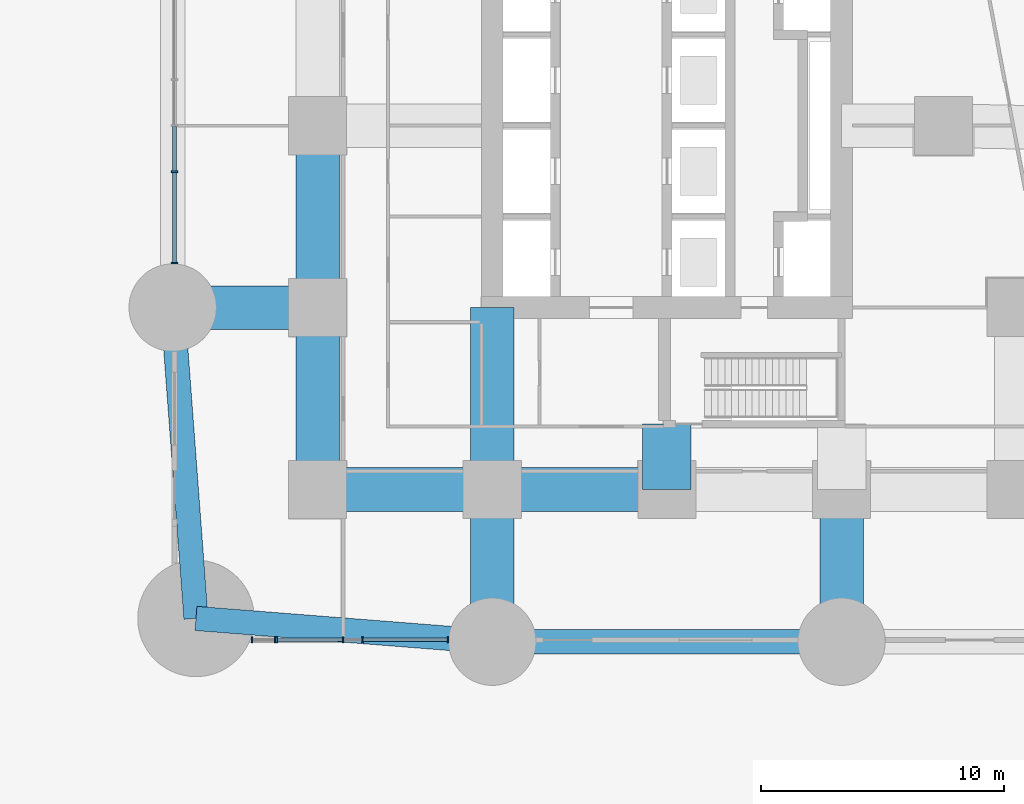
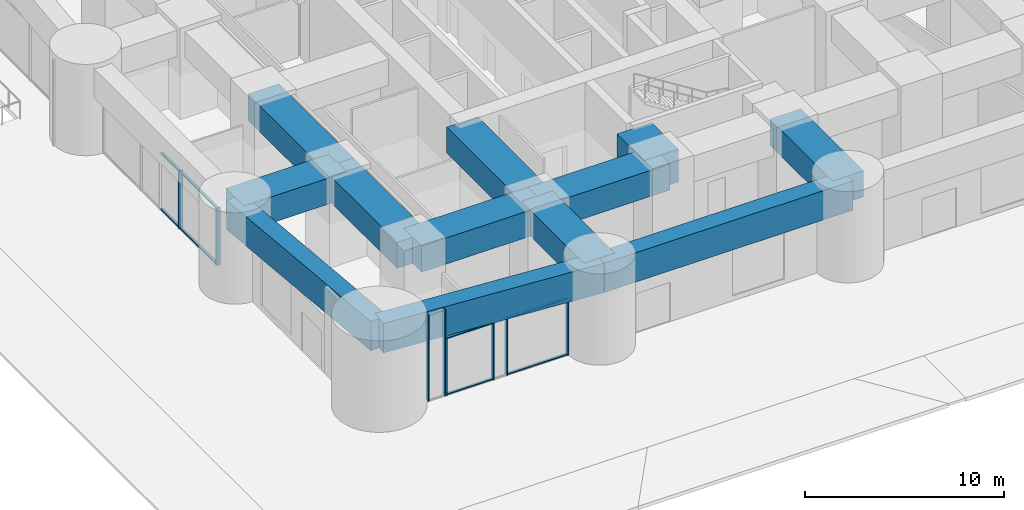
# One storey, part 2 of 16: 16 members, 12 beams, 3 elements without a shape of their own.
"""IFC4 building model written with IfcOpenShell, lengths in metres."""

from ifc_helpers import new_model, si_unit, direction, frame, origin, origin_2d, place, context, subcontext, project, spatial, rectangle, extrude, material, material_profile, profile_set, type_object, element, aggregate, save


model = new_model("IFC4")

# Units and contexts
model_context = context("Model", 3, precision=1e-05, world=origin(), true_north=direction((0.0, 1.0)))
body_context = subcontext(model_context, "Body", "Model", "MODEL_VIEW")
ifc_project = project(units=[si_unit("LENGTHUNIT", "METRE"), si_unit("AREAUNIT", "SQUARE_METRE"), si_unit("VOLUMEUNIT", "CUBIC_METRE"), si_unit("PLANEANGLEUNIT", "RADIAN"), si_unit("MASSUNIT", "GRAM", prefix="KILO")], contexts=[model_context])

# Site, building, storey
site_placement = place(None, origin())
site = spatial("IfcSite", under=ifc_project, at=site_placement, CompositionType="ELEMENT")
building_placement = place(site_placement, origin())
building = spatial("IfcBuilding", under=site, at=building_placement, Name="Sheger Commons Tower", CompositionType="ELEMENT")
storey_placement = place(building_placement, origin())
storey = spatial("IfcBuildingStorey", under=building, at=storey_placement, Name="L00", CompositionType="ELEMENT", Elevation=0.0)

# Beams
ifc_material_1 = material(Name="Concrete C50/60", Category="concrete")
ifc_material_profile_1 = material_profile(ifc_material_1, rectangle(XDim=1.0, YDim=1.800048828125, at=origin_2d()), Name="RC 1000x1800")
ifc_profile_set_1 = profile_set([ifc_material_profile_1], Name="Concrete C50/60")
beam_type_1 = type_object("IfcBeamType", Name="BEAM RC 1000x1800", PredefinedType="BEAM", material=ifc_profile_set_1)
beam_1_placement = place(storey_placement, frame((2.18603515625, 2.18603515625, 4.39990234375), z_axis=(0.996919342492, -0.078433567843, 0.0), x_axis=(0.078433567843, 0.996919342492, 0.0)))
element("IfcBeam", 1, at=beam_1_placement, inside=storey, type_object=beam_type_1, Name="Beam 0.630,0.630-3/A under L01", PredefinedType="BEAM", context=body_context, shape_type="SweptSolid", body=[
    extrude(rectangle(XDim=1.0, YDim=1.800048828125, at=origin_2d()), origin(), (0.0, 0.0, 1.0), 12.251708984375),
])
beam_2_placement = place(storey_placement, frame((14.39990234375, 1.22509765625, 4.39990234375), z_axis=(1.0, 0.0, 0.0), x_axis=(0.0, 1.0, 0.0)))
element("IfcBeam", 2, at=beam_2_placement, inside=storey, type_object=beam_type_1, Name="Beam 3/A-5/A under L01", PredefinedType="BEAM", context=body_context, shape_type="SweptSolid", body=[
    extrude(rectangle(XDim=1.0, YDim=1.800048828125, at=origin_2d()), origin(), (0.0, 0.0, 1.0), 14.400146484375),
])
beam_3_placement = place(storey_placement, frame((1.22509765625, 15.0, 4.39990234375), z_axis=(0.074781446354, -0.997199947494, 0.0), x_axis=(0.997199947494, 0.074781446354, 0.0)))
element("IfcBeam", 3, at=beam_3_placement, inside=storey, type_object=beam_type_1, Name="Beam 1/C-0.630,0.630 under L01", PredefinedType="BEAM", context=body_context, shape_type="SweptSolid", body=[
    extrude(rectangle(XDim=1.0, YDim=1.800048828125, at=origin_2d()), origin(), (0.0, 0.0, 1.0), 12.849853515625),
])
ifc_material_2 = material(Name="Concrete C50/60", Category="concrete")
ifc_material_profile_2 = material_profile(ifc_material_2, rectangle(XDim=1.800048828125, YDim=1.60009765625, at=origin_2d()), Name="RC 1800x1600")
ifc_profile_set_2 = profile_set([ifc_material_profile_2], Name="Concrete C50/60")
beam_type_2 = type_object("IfcBeamType", Name="BEAM RC 1800x1600", PredefinedType="BEAM", material=ifc_profile_set_2)
beam_4_placement = place(storey_placement, frame((7.199951171875, 7.5, 4.5), z_axis=(1.0, 0.0, 0.0), x_axis=(0.0, 1.0, 0.0)))
element("IfcBeam", 4, at=beam_4_placement, inside=storey, type_object=beam_type_2, Name="Beam 2/B-3/B under L01", PredefinedType="BEAM", context=body_context, shape_type="SweptSolid", body=[
    extrude(rectangle(XDim=1.800048828125, YDim=1.60009765625, at=origin_2d()), origin(), (0.0, 0.0, 1.0), 7.199951171875),
])
beam_5_placement = place(storey_placement, frame((14.39990234375, 7.5, 4.5), z_axis=(1.0, 0.0, 0.0), x_axis=(0.0, 1.0, 0.0)))
element("IfcBeam", 5, at=beam_5_placement, inside=storey, type_object=beam_type_2, Name="Beam 3/B-4/B under L01", PredefinedType="BEAM", context=body_context, shape_type="SweptSolid", body=[
    extrude(rectangle(XDim=1.800048828125, YDim=1.60009765625, at=origin_2d()), origin(), (0.0, 0.0, 1.0), 7.2001953125),
])
beam_6_placement = place(storey_placement, frame((1.22509765625, 15.0, 4.5), z_axis=(1.0, 0.0, 0.0), x_axis=(0.0, 1.0, 0.0)))
element("IfcBeam", 6, at=beam_6_placement, inside=storey, type_object=beam_type_2, Name="Beam 1/C-2/C under L01", PredefinedType="BEAM", context=body_context, shape_type="SweptSolid", body=[
    extrude(rectangle(XDim=1.800048828125, YDim=1.60009765625, at=origin_2d()), origin(), (0.0, 0.0, 1.0), 5.974853515625),
])
for number, where, z_axis, x_axis, name in (
    (7, (7.199951171875, 7.5, 4.5), (0.0, 1.0, 0.0), (-1.0, 0.0, 0.0), "Beam 2/B-2/C under L01"),
    (8, (7.199951171875, 15.0, 4.5), (0.0, 1.0, 0.0), (-1.0, 0.0, 0.0), "Beam 2/C-2/D under L01"),
):
    element("IfcBeam", number, at=place(storey_placement, frame(where, z_axis=z_axis, x_axis=x_axis)), inside=storey, type_object=beam_type_2, Name=name, PredefinedType="BEAM", context=body_context, shape_type="SweptSolid", body=[
        extrude(rectangle(XDim=1.800048828125, YDim=1.60009765625, at=origin_2d()), origin(), (0.0, 0.0, 1.0), 7.5),
    ])
beam_7_placement = place(storey_placement, frame((14.39990234375, 1.22509765625, 4.5), z_axis=(0.0, 1.0, 0.0), x_axis=(-1.0, 0.0, 0.0)))
element("IfcBeam", 9, at=beam_7_placement, inside=storey, type_object=beam_type_2, Name="Beam 3/A-3/B under L01", PredefinedType="BEAM", context=body_context, shape_type="SweptSolid", body=[
    extrude(rectangle(XDim=1.800048828125, YDim=1.60009765625, at=origin_2d()), origin(), (0.0, 0.0, 1.0), 6.27490234375),
])
beam_8_placement = place(storey_placement, frame((14.39990234375, 7.5, 4.5), z_axis=(0.0, 1.0, 0.0), x_axis=(-1.0, 0.0, 0.0)))
element("IfcBeam", 10, at=beam_8_placement, inside=storey, type_object=beam_type_2, Name="Beam 3/B-3/C under L01", PredefinedType="BEAM", context=body_context, shape_type="SweptSolid", body=[
    extrude(rectangle(XDim=1.800048828125, YDim=1.60009765625, at=origin_2d()), origin(), (0.0, 0.0, 1.0), 7.5),
])
beam_9_placement = place(storey_placement, frame((28.800048828125, 1.22509765625, 4.5), z_axis=(0.0, 1.0, 0.0), x_axis=(-1.0, 0.0, 0.0)))
element("IfcBeam", 11, at=beam_9_placement, inside=storey, type_object=beam_type_2, Name="Beam 5/A-5/B under L01", PredefinedType="BEAM", context=body_context, shape_type="SweptSolid", body=[
    extrude(rectangle(XDim=1.800048828125, YDim=1.60009765625, at=origin_2d()), origin(), (0.0, 0.0, 1.0), 6.27490234375),
])
ifc_material_3 = material(Name="Concrete C50/60", Category="concrete")
ifc_material_profile_3 = material_profile(ifc_material_3, rectangle(XDim=2.0, YDim=2.0, at=origin_2d()), Name="RC 2000x2000")
ifc_profile_set_3 = profile_set([ifc_material_profile_3], Name="Concrete C50/60")
beam_type_3 = type_object("IfcBeamType", Name="BEAM RC 2000x2000", PredefinedType="BEAM", material=ifc_profile_set_3)
beam_10_placement = place(storey_placement, frame((21.60009765625, 7.5, 4.300048828125), z_axis=(0.0, 1.0, 0.0), x_axis=(-1.0, 0.0, 0.0)))
element("IfcBeam", 12, at=beam_10_placement, inside=storey, type_object=beam_type_3, Name="Beam 4/B-21.600,10.200 under L01", PredefinedType="BEAM", context=body_context, shape_type="SweptSolid", body=[
    extrude(rectangle(XDim=2.0, YDim=2.0, at=origin_2d()), origin(), (0.0, 0.0, 1.0), 2.699951171875),
])

# Curtain wall, members
ifc_material_4 = material(Name="Black aluminium curtain wall, dark tinted glazing", Category="aluminium")
curtain_wall_type = type_object("IfcCurtainWallType", Name="CURTAIN WALL CW1 SHOPFRONT", PredefinedType="USERDEFINED", material=ifc_material_4)
curtain_wall_1_placement = place(storey_placement, origin())
curtain_wall_1 = element("IfcCurtainWall", 13, at=curtain_wall_1_placement, inside=storey, type_object=curtain_wall_type, Name="Curtain Wall Cw1 Shopfront S1 L00", ObjectType="STICK CURTAIN WALL", PredefinedType="USERDEFINED")
ifc_material_5 = material(Name="Black anodised aluminium", Category="aluminium")
ifc_material_profile_4 = material_profile(ifc_material_5, rectangle(XDim=0.25, YDim=0.06494140625, at=origin_2d()), Name="AL 65x250")
ifc_profile_set_4 = profile_set([ifc_material_profile_4], Name="Black anodised aluminium")
member_type_1 = type_object("IfcMemberType", Name="MULLION AL 65x250", PredefinedType="MULLION", material=ifc_profile_set_4)
member_1_placement = place(storey_placement, frame((4.494384765625, 1.300048828125, 0.0), z_axis=(0.0, 0.0, 1.0), x_axis=(0.0, 1.0, 0.0)))
member_1 = element("IfcMember", 14, at=member_1_placement, type_object=member_type_1, Name="CW1 mullion 1", PredefinedType="MULLION", context=body_context, shape_type="SweptSolid", body=[
    extrude(rectangle(XDim=0.25, YDim=0.06494140625, at=origin_2d()), origin(), (0.0, 0.0, 1.0), 5.300048828125),
])
member_2_placement = place(storey_placement, frame((5.451416015625, 1.300048828125, 0.0), z_axis=(0.0, 0.0, 1.0), x_axis=(0.0, 1.0, 0.0)))
member_2 = element("IfcMember", 15, at=member_2_placement, type_object=member_type_1, Name="CW1 mullion 2", PredefinedType="MULLION", context=body_context, shape_type="SweptSolid", body=[
    extrude(rectangle(XDim=0.25, YDim=0.06494140625, at=origin_2d()), origin(), (0.0, 0.0, 1.0), 5.300048828125),
])
aggregate(curtain_wall_1, [member_1, member_2])

curtain_wall_2_placement = place(storey_placement, origin())
curtain_wall_2 = element("IfcCurtainWall", 16, at=curtain_wall_2_placement, inside=storey, type_object=curtain_wall_type, Name="Curtain Wall Cw1 Shopfront S1 L00", ObjectType="STICK CURTAIN WALL", PredefinedType="USERDEFINED")
member_3_placement = place(storey_placement, frame((5.5166015625, 1.300048828125, 0.0), z_axis=(0.0, 0.0, 1.0), x_axis=(0.0, 1.0, 0.0)))
member_3 = element("IfcMember", 17, at=member_3_placement, type_object=member_type_1, Name="CW1 mullion 1", PredefinedType="MULLION", context=body_context, shape_type="SweptSolid", body=[
    extrude(rectangle(XDim=0.25, YDim=0.06494140625, at=origin_2d()), origin(), (0.0, 0.0, 1.0), 3.5),
])
member_4_placement = place(storey_placement, frame((8.25, 1.300048828125, 0.0), z_axis=(0.0, 0.0, 1.0), x_axis=(0.0, 1.0, 0.0)))
member_4 = element("IfcMember", 18, at=member_4_placement, type_object=member_type_1, Name="CW1 mullion 2", PredefinedType="MULLION", context=body_context, shape_type="SweptSolid", body=[
    extrude(rectangle(XDim=0.25, YDim=0.06494140625, at=origin_2d()), origin(), (0.0, 0.0, 1.0), 3.5),
])
member_5_placement = place(storey_placement, frame((9.0419921875, 1.300048828125, 0.0), z_axis=(0.0, 0.0, 1.0), x_axis=(0.0, 1.0, 0.0)))
member_5 = element("IfcMember", 19, at=member_5_placement, type_object=member_type_1, Name="CW1 mullion 3", PredefinedType="MULLION", context=body_context, shape_type="SweptSolid", body=[
    extrude(rectangle(XDim=0.25, YDim=0.06494140625, at=origin_2d()), origin(), (0.0, 0.0, 1.0), 3.5),
])
member_6_placement = place(storey_placement, frame((12.56640625, 1.300048828125, 0.0), z_axis=(0.0, 0.0, 1.0), x_axis=(0.0, 1.0, 0.0)))
member_6 = element("IfcMember", 20, at=member_6_placement, type_object=member_type_1, Name="CW1 mullion 4", PredefinedType="MULLION", context=body_context, shape_type="SweptSolid", body=[
    extrude(rectangle(XDim=0.25, YDim=0.06494140625, at=origin_2d()), origin(), (0.0, 0.0, 1.0), 3.5),
])

curtain_wall_3_placement = place(storey_placement, origin())
curtain_wall_3 = element("IfcCurtainWall", 21, at=curtain_wall_3_placement, inside=storey, type_object=curtain_wall_type, Name="Curtain Wall Cw1 Shopfront W1 L00", ObjectType="STICK CURTAIN WALL", PredefinedType="USERDEFINED")
member_7_placement = place(storey_placement, frame((1.300048828125, 20.60009765625, 0.0), z_axis=(0.0, 0.0, 1.0), x_axis=(1.0, 0.0, 0.0)))
member_7 = element("IfcMember", 22, at=member_7_placement, type_object=member_type_1, Name="CW1 mullion 4", PredefinedType="MULLION", context=body_context, shape_type="SweptSolid", body=[
    extrude(rectangle(XDim=0.25, YDim=0.06494140625, at=origin_2d()), origin(), (0.0, 0.0, 1.0), 3.5),
])
member_8_placement = place(storey_placement, frame((1.300048828125, 16.83349609375, 0.0), z_axis=(0.0, 0.0, 1.0), x_axis=(1.0, 0.0, 0.0)))
member_8 = element("IfcMember", 23, at=member_8_placement, type_object=member_type_1, Name="CW1 mullion 5", PredefinedType="MULLION", context=body_context, shape_type="SweptSolid", body=[
    extrude(rectangle(XDim=0.25, YDim=0.06494140625, at=origin_2d()), origin(), (0.0, 0.0, 1.0), 3.5),
])

# Member
ifc_material_6 = material(Name="Black anodised aluminium", Category="aluminium")
ifc_material_profile_5 = material_profile(ifc_material_6, rectangle(XDim=0.14990234375, YDim=0.06494140625, at=origin_2d()), Name="AL 65x150")
ifc_profile_set_5 = profile_set([ifc_material_profile_5], Name="Black anodised aluminium")
member_type_2 = type_object("IfcMemberType", Name="TRANSOM AL 65x150", PredefinedType="USERDEFINED", material=ifc_profile_set_5)
member_9_placement = place(storey_placement, frame((5.549072265625, 1.300048828125, 0.032470703125), z_axis=(1.0, 0.0, 0.0), x_axis=(0.0, 1.0, 0.0)))
member_9 = element("IfcMember", 24, at=member_9_placement, type_object=member_type_2, Name="CW1 transom 1.1", ObjectType="TRANSOM", PredefinedType="USERDEFINED", context=body_context, shape_type="SweptSolid", body=[
    extrude(rectangle(XDim=0.14990234375, YDim=0.06494140625, at=origin_2d()), origin(), (0.0, 0.0, 1.0), 2.66845703125),
])

member_10_placement = place(storey_placement, frame((5.549072265625, 1.300048828125, 3.467529296875), z_axis=(1.0, 0.0, 0.0), x_axis=(0.0, 1.0, 0.0)))
member_10 = element("IfcMember", 25, at=member_10_placement, type_object=member_type_2, Name="CW1 transom 1.2", ObjectType="TRANSOM", PredefinedType="USERDEFINED", context=body_context, shape_type="SweptSolid", body=[
    extrude(rectangle(XDim=0.14990234375, YDim=0.06494140625, at=origin_2d()), origin(), (0.0, 0.0, 1.0), 2.66845703125),
])

member_11_placement = place(storey_placement, frame((9.074462890625, 1.300048828125, 0.032470703125), z_axis=(1.0, 0.0, 0.0), x_axis=(0.0, 1.0, 0.0)))
member_11 = element("IfcMember", 26, at=member_11_placement, type_object=member_type_2, Name="CW1 transom 3.1", ObjectType="TRANSOM", PredefinedType="USERDEFINED", context=body_context, shape_type="SweptSolid", body=[
    extrude(rectangle(XDim=0.14990234375, YDim=0.06494140625, at=origin_2d()), origin(), (0.0, 0.0, 1.0), 3.45947265625),
])

member_12_placement = place(storey_placement, frame((9.074462890625, 1.300048828125, 3.467529296875), z_axis=(1.0, 0.0, 0.0), x_axis=(0.0, 1.0, 0.0)))
member_12 = element("IfcMember", 27, at=member_12_placement, type_object=member_type_2, Name="CW1 transom 3.2", ObjectType="TRANSOM", PredefinedType="USERDEFINED", context=body_context, shape_type="SweptSolid", body=[
    extrude(rectangle(XDim=0.14990234375, YDim=0.06494140625, at=origin_2d()), origin(), (0.0, 0.0, 1.0), 3.45947265625),
])

aggregate(curtain_wall_2, [member_3, member_4, member_5, member_6, member_9, member_10, member_11, member_12])

member_13_placement = place(storey_placement, frame((1.300048828125, 22.467529296875, 0.032470703125), z_axis=(0.0, -1.0, 0.0), x_axis=(1.0, 0.0, 0.0)))
member_13 = element("IfcMember", 28, at=member_13_placement, type_object=member_type_2, Name="CW1 transom 3.1", ObjectType="TRANSOM", PredefinedType="USERDEFINED", context=body_context, shape_type="SweptSolid", body=[
    extrude(rectangle(XDim=0.14990234375, YDim=0.06494140625, at=origin_2d()), origin(), (0.0, 0.0, 1.0), 1.8349609375),
])

member_14_placement = place(storey_placement, frame((1.300048828125, 22.467529296875, 3.467529296875), z_axis=(0.0, -1.0, 0.0), x_axis=(1.0, 0.0, 0.0)))
member_14 = element("IfcMember", 29, at=member_14_placement, type_object=member_type_2, Name="CW1 transom 3.2", ObjectType="TRANSOM", PredefinedType="USERDEFINED", context=body_context, shape_type="SweptSolid", body=[
    extrude(rectangle(XDim=0.14990234375, YDim=0.06494140625, at=origin_2d()), origin(), (0.0, 0.0, 1.0), 1.8349609375),
])

member_15_placement = place(storey_placement, frame((1.300048828125, 20.5673828125, 0.032470703125), z_axis=(0.0, -1.0, 0.0), x_axis=(1.0, 0.0, 0.0)))
member_15 = element("IfcMember", 30, at=member_15_placement, type_object=member_type_2, Name="CW1 transom 4.1", ObjectType="TRANSOM", PredefinedType="USERDEFINED", context=body_context, shape_type="SweptSolid", body=[
    extrude(rectangle(XDim=0.14990234375, YDim=0.06494140625, at=origin_2d()), origin(), (0.0, 0.0, 1.0), 3.701416015625),
])

member_16_placement = place(storey_placement, frame((1.300048828125, 20.5673828125, 3.467529296875), z_axis=(0.0, -1.0, 0.0), x_axis=(1.0, 0.0, 0.0)))
member_16 = element("IfcMember", 31, at=member_16_placement, type_object=member_type_2, Name="CW1 transom 4.2", ObjectType="TRANSOM", PredefinedType="USERDEFINED", context=body_context, shape_type="SweptSolid", body=[
    extrude(rectangle(XDim=0.14990234375, YDim=0.06494140625, at=origin_2d()), origin(), (0.0, 0.0, 1.0), 3.701416015625),
])

aggregate(curtain_wall_3, [member_7, member_8, member_13, member_14, member_15, member_16])

save(model, "model.ifc")
